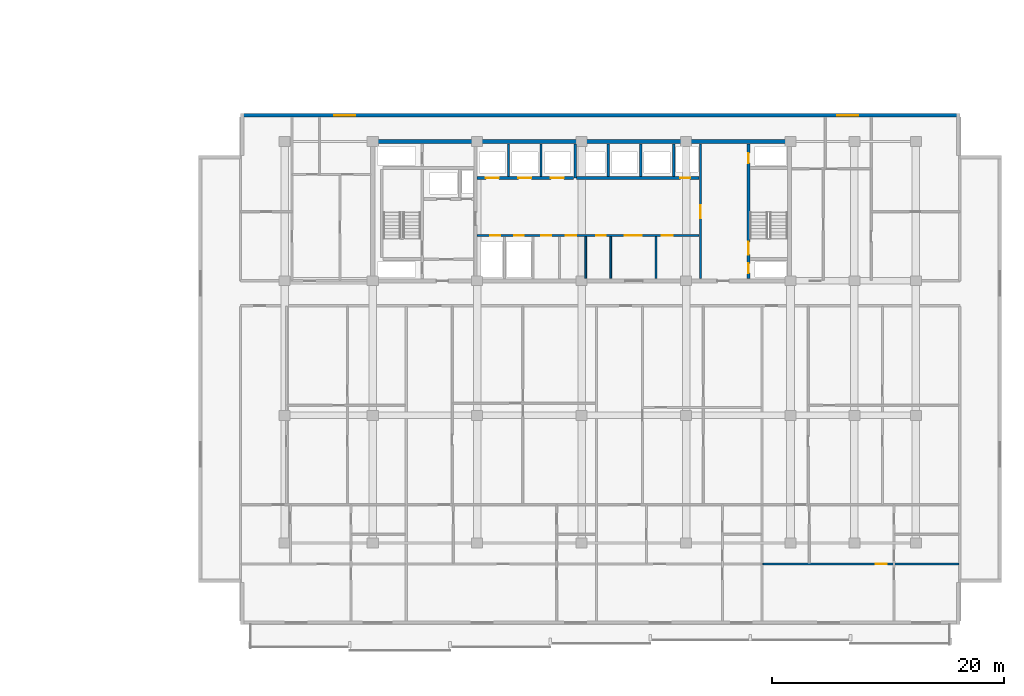
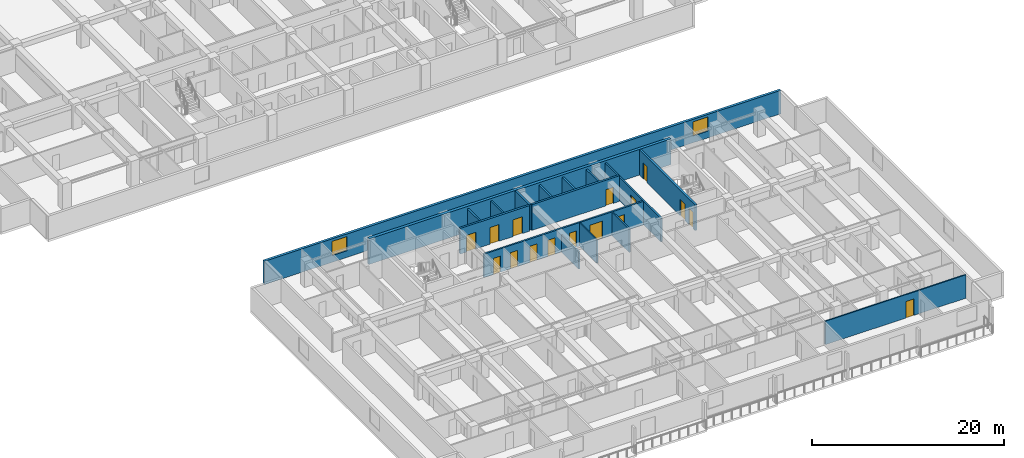
# One storey, part 7 of 23: 17 walls, 16 doors, 2 windows, 18 openings.
"""IFC4 building model written with IfcOpenShell, lengths in metres."""

from ifc_helpers import new_model, si_unit, direction, frame, frame_2d, origin, place, context, subcontext, project, spatial, rectangle, extrude, material, layer, layer_set, type_object, element, fill, save


model = new_model("IFC4")

# Units and contexts
model_context = context("Model", 3, precision=1e-05, world=origin(), true_north=direction((0.0, 1.0)))
body_context = subcontext(model_context, "Body", "Model", "MODEL_VIEW")
ifc_project = project(units=[si_unit("LENGTHUNIT", "METRE"), si_unit("AREAUNIT", "SQUARE_METRE"), si_unit("VOLUMEUNIT", "CUBIC_METRE"), si_unit("PLANEANGLEUNIT", "RADIAN"), si_unit("MASSUNIT", "GRAM", prefix="KILO")], contexts=[model_context])

# Site, building, storey
site_placement = place(None, origin())
site = spatial("IfcSite", under=ifc_project, at=site_placement, CompositionType="ELEMENT")
building_placement = place(site_placement, origin())
building = spatial("IfcBuilding", under=site, at=building_placement, Name="Korimba Cascade Residences", CompositionType="ELEMENT")
storey_placement = place(building_placement, frame((0.0, 0.0, 37.0)))
storey = spatial("IfcBuildingStorey", under=building, at=storey_placement, Name="L09", CompositionType="ELEMENT", Elevation=37.0)

# Wall, openings, windows
ifc_material_1 = material(Name="Precast concrete C40/50", Category="concrete")
ifc_layer_1 = layer(ifc_material_1, 0.300048828125)
ifc_layer_set_1 = layer_set([ifc_layer_1], Name="Precast concrete C40/50")
wall_type_1 = type_object("IfcWallType", Name="EW-STONE-300", PredefinedType="STANDARD", material=ifc_layer_set_1)
wall_1_placement = place(storey_placement, frame((132.699951171875, 32.64990234375, 0.0), z_axis=(0.0, 0.0, 1.0), x_axis=(-1.0, 0.0, 0.0)))
wall_1 = element("IfcWall", 1, at=wall_1_placement, inside=storey, type_object=wall_type_1, Name="L09 T2 Perimeter Stone Wall E06", PredefinedType="STANDARD", context=body_context, shape_type="SweptSolid", body=[
    extrude(rectangle(XDim=62.0, YDim=0.300048828125, at=frame_2d((31.0, 0.0))), origin(), (0.0, 0.0, 1.0), 2.969970703125),
])
opening_1_placement = place(wall_1_placement, frame((52.125, 0.0, 0.85009765625)))
opening_1 = element("IfcOpeningElement", 2, at=opening_1_placement, cuts=wall_1, Name="Opening W-02", PredefinedType="OPENING", context=body_context, shape_type="SweptSolid", body=[
    extrude(rectangle(XDim=1.800048828125, YDim=1.800048828125, at=frame_2d((0.89990234375, 0.89990234375))), frame((0.0, 0.16015625, 0.0), z_axis=(0.0, -1.0, 0.0), x_axis=(1.0, 0.0, 0.0)), (0.0, 0.0, 1.0), 0.320068359375),
])
opening_2_placement = place(wall_1_placement, frame((8.77490234375, 0.0, 0.85009765625)))
opening_2 = element("IfcOpeningElement", 3, at=opening_2_placement, cuts=wall_1, Name="Opening W-02", PredefinedType="OPENING", context=body_context, shape_type="SweptSolid", body=[
    extrude(rectangle(XDim=1.800048828125, YDim=1.800048828125, at=frame_2d((0.89990234375, 0.89990234375))), frame((0.0, 0.16015625, 0.0), z_axis=(0.0, -1.0, 0.0), x_axis=(1.0, 0.0, 0.0)), (0.0, 0.0, 1.0), 0.320068359375),
])
ifc_material_2 = material(Name="Double-Glazed Aluminium Window", Category="aluminium")
window_type = type_object("IfcWindowType", Name="WIN-BED-1800", PartitioningType="SINGLE_PANEL", PredefinedType="WINDOW", material=ifc_material_2)
window_1_placement = place(opening_1_placement, origin())
window_1 = element("IfcWindow", 4, at=window_1_placement, inside=storey, type_object=window_type, Name="L09 T2 North Corner Bedroom Window 1", OverallHeight=1.800048828125, OverallWidth=1.800048828125, PartitioningType="SINGLE_PANEL", PredefinedType="WINDOW", context=body_context, shape_type="SweptSolid", body=[
    extrude(rectangle(XDim=1.800048828125, YDim=1.800048828125, at=frame_2d((0.89990234375, 0.89990234375))), frame((0.0, 0.030029296875, 0.0), z_axis=(0.0, -1.0, 0.0), x_axis=(1.0, 0.0, 0.0)), (0.0, 0.0, 1.0), 0.06005859375),
])
fill(opening_1, window_1)
window_2_placement = place(opening_2_placement, origin())
window_2 = element("IfcWindow", 5, at=window_2_placement, inside=storey, type_object=window_type, Name="L09 T2 North Corner Bedroom Window 2", OverallHeight=1.800048828125, OverallWidth=1.800048828125, PartitioningType="SINGLE_PANEL", PredefinedType="WINDOW", context=body_context, shape_type="SweptSolid", body=[
    extrude(rectangle(XDim=1.800048828125, YDim=1.800048828125, at=frame_2d((0.89990234375, 0.89990234375))), frame((0.0, 0.030029296875, 0.0), z_axis=(0.0, -1.0, 0.0), x_axis=(1.0, 0.0, 0.0)), (0.0, 0.0, 1.0), 0.06005859375),
])
fill(opening_2, window_2)

# Walls
ifc_material_3 = material(Name="Concrete C65/80", Category="concrete")
ifc_layer_2 = layer(ifc_material_3, 0.35009765625)
ifc_layer_set_2 = layer_set([ifc_layer_2], Name="Concrete C65/80")
wall_type_2 = type_object("IfcWallType", Name="WAL-CORE-350", PredefinedType="SHEAR", material=ifc_layer_set_2)
wall_2_placement = place(storey_placement, frame((81.925048828125, 30.39990234375, 0.0), z_axis=(0.0, 0.0, 1.0), x_axis=(1.0, 0.0, 0.0)))
element("IfcWall", 6, at=wall_2_placement, inside=storey, type_object=wall_type_2, Name="L09 Core Shear Wall CW-L09-T2-N", PredefinedType="SHEAR", context=body_context, shape_type="SweptSolid", body=[
    extrude(rectangle(XDim=36.264892578125, YDim=0.35009765625, at=frame_2d((18.13232421875, 0.0))), origin(), (0.0, 0.0, 1.0), 3.25),
])
ifc_material_4 = material(Name="Insulated Acoustic Stud Partition", Category="gypsum")
ifc_layer_3 = layer(ifc_material_4, 0.14990234375)
ifc_layer_set_3 = layer_set([ifc_layer_3], Name="Insulated Acoustic Stud Partition")
wall_type_3 = type_object("IfcWallType", Name="WAL-PART-150", PredefinedType="PARTITIONING", material=ifc_layer_set_3)
wall_3_placement = place(storey_placement, frame((100.449951171875, 18.60009765625, 0.0), z_axis=(0.0, 0.0, 1.0), x_axis=(0.0, 1.0, 0.0)))
element("IfcWall", 7, at=wall_3_placement, inside=storey, type_object=wall_type_3, Name="L09 Partition Wall CW-L09-T2-CA1W2", PredefinedType="PARTITIONING", context=body_context, shape_type="SweptSolid", body=[
    extrude(rectangle(XDim=3.599853515625, YDim=0.14990234375, at=frame_2d((1.7998046875, 0.0))), origin(), (0.0, 0.0, 1.0), 2.219970703125),
])
for number, where, z_axis, x_axis, name in (
    (8, (102.60009765625, 18.60009765625, 0.0), (0.0, 0.0, 1.0), (0.0, 1.0, 0.0), "L09 Partition Wall CW-L09-T2-THW"),
    (9, (106.5, 18.60009765625, 0.0), (0.0, 0.0, 1.0), (0.0, 1.0, 0.0), "L09 Partition Wall CW-L09-T2-THE"),
):
    element("IfcWall", number, at=place(storey_placement, frame(where, z_axis=z_axis, x_axis=x_axis)), inside=storey, type_object=wall_type_3, Name=name, PredefinedType="PARTITIONING", context=body_context, shape_type="SweptSolid", body=[
        extrude(rectangle(XDim=3.599853515625, YDim=0.14990234375, at=frame_2d((1.7998046875, 0.0))), origin(), (0.0, 0.0, 1.0), 2.969970703125),
    ])

# Wall, opening, door
wall_4_placement = place(storey_placement, frame((115.73095703125, -6.0, 0.0), z_axis=(0.0, 0.0, 1.0), x_axis=(1.0, 0.0, 0.0)))
wall_4 = element("IfcWall", 10, at=wall_4_placement, inside=storey, type_object=wall_type_3, Name="L09 Partition Wall WAL-L09-T2-U04-HZ", PredefinedType="PARTITIONING", context=body_context, shape_type="SweptSolid", body=[
    extrude(rectangle(XDim=16.88916015625, YDim=0.14990234375, at=frame_2d((8.444580078125, 0.0))), origin(), (0.0, 0.0, 1.0), 2.969970703125),
])
opening_3_placement = place(wall_4_placement, frame((9.705078125, 0.0, 0.0)))
opening_3 = element("IfcOpeningElement", 11, at=opening_3_placement, cuts=wall_4, Name="Opening D-IN0", PredefinedType="OPENING", context=body_context, shape_type="SweptSolid", body=[
    extrude(rectangle(XDim=0.93994140625, YDim=2.10009765625, at=frame_2d((0.469970703125, 1.050048828125))), frame((0.0, 0.0849609375, 0.0), z_axis=(0.0, -1.0, 0.0), x_axis=(1.0, 0.0, 0.0)), (0.0, 0.0, 1.0), 0.169921875),
])
ifc_material_5 = material(Name="Acoustic Timber Living Archway Door", Category="wood")
door_type_1 = type_object("IfcDoorType", Name="DR-INT-950", OperationType="NOTDEFINED", PredefinedType="DOOR", material=ifc_material_5)
door_1_placement = place(opening_3_placement, origin())
door_1 = element("IfcDoor", 12, at=door_1_placement, inside=storey, type_object=door_type_1, Name="L09-T2-U04 Living Archway Door", OperationType="SINGLE_SWING_RIGHT", OverallHeight=2.10009765625, OverallWidth=0.93994140625, PredefinedType="DOOR", context=body_context, shape_type="SweptSolid", body=[
    extrude(rectangle(XDim=0.93994140625, YDim=2.10009765625, at=frame_2d((0.469970703125, 1.050048828125))), frame((0.0, 0.02490234375, 0.0), z_axis=(0.0, -1.0, 0.0), x_axis=(1.0, 0.0, 0.0)), (0.0, 0.0, 1.0), 0.050048828125),
])
fill(opening_3, door_1)

# Walls
ifc_material_6 = material(Name="Concrete C40/50", Category="concrete")
ifc_layer_4 = layer(ifc_material_6, 0.199951171875)
ifc_layer_set_4 = layer_set([ifc_layer_4], Name="Concrete C40/50")
wall_type_4 = type_object("IfcWallType", Name="WAL-PART-200", PredefinedType="PARTITIONING", material=ifc_layer_set_4)
for number, where, z_axis, x_axis, name in (
    (13, (93.800048828125, 27.3798828125, 0.0), (0.0, 0.0, 1.0), (0.0, 1.0, 0.0), "L09 Partition Wall CW-L09-T2-B1D1"),
    (14, (96.60009765625, 27.3798828125, 0.0), (0.0, 0.0, 1.0), (0.0, 1.0, 0.0), "L09 Partition Wall CW-L09-T2-B1D2"),
    (15, (102.39990234375, 27.3798828125, 0.0), (0.0, 0.0, 1.0), (0.0, 1.0, 0.0), "L09 Partition Wall CW-L09-T2-B2D1"),
    (16, (105.199951171875, 27.3798828125, 0.0), (0.0, 0.0, 1.0), (0.0, 1.0, 0.0), "L09 Partition Wall CW-L09-T2-B2D2"),
    (17, (108.050048828125, 27.3798828125, 0.0), (0.0, 0.0, 1.0), (0.0, 1.0, 0.0), "L09 Partition Wall CW-L09-T2-B2D3"),
):
    element("IfcWall", number, at=place(storey_placement, frame(where, z_axis=z_axis, x_axis=x_axis)), inside=storey, type_object=wall_type_4, Name=name, PredefinedType="PARTITIONING", context=body_context, shape_type="SweptSolid", body=[
        extrude(rectangle(XDim=2.820068359375, YDim=0.199951171875, at=frame_2d((1.41015625, 0.0))), origin(), (0.0, 0.0, 1.0), 2.969970703125),
    ])

# Wall, openings, doors
wall_5_placement = place(storey_placement, frame((91.080078125, 22.300048828125, 0.0), z_axis=(0.0, 0.0, 1.0), x_axis=(1.0, 0.0, 0.0)))
wall_5 = element("IfcWall", 18, at=wall_5_placement, inside=storey, type_object=wall_type_4, Name="L09 Partition Wall CW-L09-T2-SRVROW", PredefinedType="PARTITIONING", context=body_context, shape_type="SweptSolid", body=[
    extrude(rectangle(XDim=19.139892578125, YDim=0.199951171875, at=frame_2d((9.56982421875, 0.0))), origin(), (0.0, 0.0, 1.0), 2.969970703125),
])
opening_4_placement = place(wall_5_placement, frame((1.14990234375, 0.0, 0.0)))
opening_4 = element("IfcOpeningElement", 19, at=opening_4_placement, cuts=wall_5, Name="Opening D-RS1", PredefinedType="OPENING", context=body_context, shape_type="SweptSolid", body=[
    extrude(rectangle(XDim=0.85009765625, YDim=2.050048828125, at=frame_2d((0.425048828125, 1.02490234375))), frame((0.0, 0.10986328125, 0.0), z_axis=(0.0, -1.0, 0.0), x_axis=(1.0, 0.0, 0.0)), (0.0, 0.0, 1.0), 0.219970703125),
])
opening_5_placement = place(wall_5_placement, frame((3.199951171875, 0.0, 0.0)))
opening_5 = element("IfcOpeningElement", 20, at=opening_5_placement, cuts=wall_5, Name="Opening D-RS1", PredefinedType="OPENING", context=body_context, shape_type="SweptSolid", body=[
    extrude(rectangle(XDim=0.85009765625, YDim=2.050048828125, at=frame_2d((0.425048828125, 1.02490234375))), frame((0.0, 0.10986328125, 0.0), z_axis=(0.0, -1.0, 0.0), x_axis=(1.0, 0.0, 0.0)), (0.0, 0.0, 1.0), 0.219970703125),
])
opening_6_placement = place(wall_5_placement, frame((12.719970703125, 0.0, 0.0)))
opening_6 = element("IfcOpeningElement", 21, at=opening_6_placement, cuts=wall_5, Name="Opening D-FD8", PredefinedType="OPENING", context=body_context, shape_type="SweptSolid", body=[
    extrude(rectangle(XDim=1.5, YDim=2.199951171875, at=frame_2d((0.75, 1.10009765625))), frame((0.0, 0.10986328125, 0.0), z_axis=(0.0, -1.0, 0.0), x_axis=(1.0, 0.0, 0.0)), (0.0, 0.0, 1.0), 0.219970703125),
])
opening_7_placement = place(wall_5_placement, frame((5.52001953125, 0.0, 0.0)))
opening_7 = element("IfcOpeningElement", 22, at=opening_7_placement, cuts=wall_5, Name="Opening D-IN2", PredefinedType="OPENING", context=body_context, shape_type="SweptSolid", body=[
    extrude(rectangle(XDim=0.8798828125, YDim=2.06005859375, at=frame_2d((0.43994140625, 1.030029296875))), frame((0.0, 0.10986328125, 0.0), z_axis=(0.0, -1.0, 0.0), x_axis=(1.0, 0.0, 0.0)), (0.0, 0.0, 1.0), 0.219970703125),
])
opening_8_placement = place(wall_5_placement, frame((7.669921875, 0.0, 0.0)))
opening_8 = element("IfcOpeningElement", 23, at=opening_8_placement, cuts=wall_5, Name="Opening D-IN2", PredefinedType="OPENING", context=body_context, shape_type="SweptSolid", body=[
    extrude(rectangle(XDim=0.8798828125, YDim=2.06005859375, at=frame_2d((0.43994140625, 1.030029296875))), frame((0.0, 0.10986328125, 0.0), z_axis=(0.0, -1.0, 0.0), x_axis=(1.0, 0.0, 0.0)), (0.0, 0.0, 1.0), 0.219970703125),
])
opening_9_placement = place(wall_5_placement, frame((10.27001953125, 0.0, 0.0)))
opening_9 = element("IfcOpeningElement", 24, at=opening_9_placement, cuts=wall_5, Name="Opening D-RS1", PredefinedType="OPENING", context=body_context, shape_type="SweptSolid", body=[
    extrude(rectangle(XDim=0.85009765625, YDim=2.050048828125, at=frame_2d((0.425048828125, 1.02490234375))), frame((0.0, 0.10986328125, 0.0), z_axis=(0.0, -1.0, 0.0), x_axis=(1.0, 0.0, 0.0)), (0.0, 0.0, 1.0), 0.219970703125),
])
opening_10_placement = place(wall_5_placement, frame((15.919921875, 0.0, 0.0)))
opening_10 = element("IfcOpeningElement", 25, at=opening_10_placement, cuts=wall_5, Name="Opening D-AC1", PredefinedType="OPENING", context=body_context, shape_type="SweptSolid", body=[
    extrude(rectangle(XDim=0.9599609375, YDim=2.10009765625, at=frame_2d((0.47998046875, 1.050048828125))), frame((0.0, 0.10986328125, 0.0), z_axis=(0.0, -1.0, 0.0), x_axis=(1.0, 0.0, 0.0)), (0.0, 0.0, 1.0), 0.219970703125),
])
ifc_material_7 = material(Name="Accessible Acoustic Timber WC Door", Category="wood")
door_type_2 = type_object("IfcDoorType", Name="DR-ACC-950", OperationType="NOTDEFINED", PredefinedType="DOOR", material=ifc_material_7)
door_2_placement = place(opening_10_placement, origin())
door_2 = element("IfcDoor", 26, at=door_2_placement, inside=storey, type_object=door_type_2, Name="L09 T2 Accessible Staff WC Door", OperationType="SINGLE_SWING_RIGHT", OverallHeight=2.10009765625, OverallWidth=0.9599609375, PredefinedType="DOOR", context=body_context, shape_type="SweptSolid", body=[
    extrude(rectangle(XDim=0.9599609375, YDim=2.10009765625, at=frame_2d((0.47998046875, 1.050048828125))), frame((0.0, 0.02490234375, 0.0), z_axis=(0.0, -1.0, 0.0), x_axis=(1.0, 0.0, 0.0)), (0.0, 0.0, 1.0), 0.050048828125),
])
fill(opening_10, door_2)
ifc_material_8 = material(Name="Fire-Rated Steel Riser Access Door", Category="steel")
door_type_3 = type_object("IfcDoorType", Name="DR-FD60-850", OperationType="NOTDEFINED", PredefinedType="DOOR", material=ifc_material_8)
door_3_placement = place(opening_4_placement, origin())
door_3 = element("IfcDoor", 27, at=door_3_placement, inside=storey, type_object=door_type_3, Name="L09 T2 Electrical Riser Door", OperationType="SINGLE_SWING_LEFT", OverallHeight=2.050048828125, OverallWidth=0.85009765625, PredefinedType="DOOR", context=body_context, shape_type="SweptSolid", body=[
    extrude(rectangle(XDim=0.85009765625, YDim=2.050048828125, at=frame_2d((0.425048828125, 1.02490234375))), frame((0.0, 0.02490234375, 0.0), z_axis=(0.0, -1.0, 0.0), x_axis=(1.0, 0.0, 0.0)), (0.0, 0.0, 1.0), 0.050048828125),
])
fill(opening_4, door_3)
door_4_placement = place(opening_5_placement, origin())
door_4 = element("IfcDoor", 28, at=door_4_placement, inside=storey, type_object=door_type_3, Name="L09 T2 Plumbing Riser Door", OperationType="SINGLE_SWING_RIGHT", OverallHeight=2.050048828125, OverallWidth=0.85009765625, PredefinedType="DOOR", context=body_context, shape_type="SweptSolid", body=[
    extrude(rectangle(XDim=0.85009765625, YDim=2.050048828125, at=frame_2d((0.425048828125, 1.02490234375))), frame((0.0, 0.02490234375, 0.0), z_axis=(0.0, -1.0, 0.0), x_axis=(1.0, 0.0, 0.0)), (0.0, 0.0, 1.0), 0.050048828125),
])
fill(opening_5, door_4)
door_5_placement = place(opening_9_placement, origin())
door_5 = element("IfcDoor", 29, at=door_5_placement, inside=storey, type_object=door_type_3, Name="L09 T2 IT Room Door", OperationType="SINGLE_SWING_LEFT", OverallHeight=2.050048828125, OverallWidth=0.85009765625, PredefinedType="DOOR", context=body_context, shape_type="SweptSolid", body=[
    extrude(rectangle(XDim=0.85009765625, YDim=2.050048828125, at=frame_2d((0.425048828125, 1.02490234375))), frame((0.0, 0.02490234375, 0.0), z_axis=(0.0, -1.0, 0.0), x_axis=(1.0, 0.0, 0.0)), (0.0, 0.0, 1.0), 0.050048828125),
])
fill(opening_9, door_5)
ifc_material_9 = material(Name="Fire-Rated Glazed Lift Lobby Double Door", Category="glass")
door_type_4 = type_object("IfcDoorType", Name="DR-FD90-1500", OperationType="NOTDEFINED", PredefinedType="DOOR", material=ifc_material_9)
door_6_placement = place(opening_6_placement, origin())
door_6 = element("IfcDoor", 30, at=door_6_placement, inside=storey, type_object=door_type_4, Name="L09 T2 Lift Lobby Foyer Door", OperationType="DOUBLE_DOOR_SINGLE_SWING", OverallHeight=2.199951171875, OverallWidth=1.5, PredefinedType="DOOR", context=body_context, shape_type="SweptSolid", body=[
    extrude(rectangle(XDim=1.5, YDim=2.199951171875, at=frame_2d((0.75, 1.10009765625))), frame((0.0, 0.02490234375, 0.0), z_axis=(0.0, -1.0, 0.0), x_axis=(1.0, 0.0, 0.0)), (0.0, 0.0, 1.0), 0.050048828125),
])
fill(opening_6, door_6)
ifc_material_10 = material(Name="Acoustic Timber Bedroom Door", Category="wood")
door_type_5 = type_object("IfcDoorType", Name="DR-INT-880", OperationType="NOTDEFINED", PredefinedType="DOOR", material=ifc_material_10)
door_7_placement = place(opening_7_placement, origin())
door_7 = element("IfcDoor", 31, at=door_7_placement, inside=storey, type_object=door_type_5, Name="L09 T2 Cleaners Door", OperationType="SINGLE_SWING_LEFT", OverallHeight=2.06005859375, OverallWidth=0.8798828125, PredefinedType="DOOR", context=body_context, shape_type="SweptSolid", body=[
    extrude(rectangle(XDim=0.8798828125, YDim=2.06005859375, at=frame_2d((0.43994140625, 1.030029296875))), frame((0.0, 0.02490234375, 0.0), z_axis=(0.0, -1.0, 0.0), x_axis=(1.0, 0.0, 0.0)), (0.0, 0.0, 1.0), 0.050048828125),
])
fill(opening_7, door_7)
door_8_placement = place(opening_8_placement, origin())
door_8 = element("IfcDoor", 32, at=door_8_placement, inside=storey, type_object=door_type_5, Name="L09 T2 Pantry Door", OperationType="SINGLE_SWING_RIGHT", OverallHeight=2.06005859375, OverallWidth=0.8798828125, PredefinedType="DOOR", context=body_context, shape_type="SweptSolid", body=[
    extrude(rectangle(XDim=0.8798828125, YDim=2.06005859375, at=frame_2d((0.43994140625, 1.030029296875))), frame((0.0, 0.02490234375, 0.0), z_axis=(0.0, -1.0, 0.0), x_axis=(1.0, 0.0, 0.0)), (0.0, 0.0, 1.0), 0.050048828125),
])
fill(opening_8, door_8)

# Wall, opening, door
wall_6_placement = place(storey_placement, frame((110.35009765625, 18.60009765625, 0.0), z_axis=(0.0, 0.0, 1.0), x_axis=(0.0, 1.0, 0.0)))
wall_6 = element("IfcWall", 33, at=wall_6_placement, inside=storey, type_object=wall_type_4, Name="L09 Partition Wall CW-L09-T2-LLEV", PredefinedType="PARTITIONING", context=body_context, shape_type="SweptSolid", body=[
    extrude(rectangle(XDim=11.599853515625, YDim=0.199951171875, at=frame_2d((5.7998046875, 0.0))), origin(), (0.0, 0.0, 1.0), 2.969970703125),
])
opening_11_placement = place(wall_6_placement, frame((5.199951171875, 0.0, 0.0)))
opening_11 = element("IfcOpeningElement", 34, at=opening_11_placement, cuts=wall_6, Name="Opening D-FD6", PredefinedType="OPENING", context=body_context, shape_type="SweptSolid", body=[
    extrude(rectangle(XDim=1.10009765625, YDim=2.14990234375, at=frame_2d((0.550048828125, 1.074951171875))), frame((0.0, 0.10986328125, 0.0), z_axis=(0.0, -1.0, 0.0), x_axis=(1.0, 0.0, 0.0)), (0.0, 0.0, 1.0), 0.219970703125),
])
ifc_material_11 = material(Name="Fire-Rated Timber Stair Lobby Door", Category="wood")
door_type_6 = type_object("IfcDoorType", Name="DR-FD90-1100", OperationType="NOTDEFINED", PredefinedType="DOOR", material=ifc_material_11)
door_9_placement = place(opening_11_placement, origin())
door_9 = element("IfcDoor", 35, at=door_9_placement, inside=storey, type_object=door_type_6, Name="L09 T2 Lift Lobby to East Stair Lobby Door", OperationType="SINGLE_SWING_LEFT", OverallHeight=2.14990234375, OverallWidth=1.10009765625, PredefinedType="DOOR", context=body_context, shape_type="SweptSolid", body=[
    extrude(rectangle(XDim=1.10009765625, YDim=2.14990234375, at=frame_2d((0.550048828125, 1.074951171875))), frame((0.0, 0.02490234375, 0.0), z_axis=(0.0, -1.0, 0.0), x_axis=(1.0, 0.0, 0.0)), (0.0, 0.0, 1.0), 0.050048828125),
])
fill(opening_11, door_9)

# Wall, openings, doors
ifc_material_12 = material(Name="Concrete C50/60", Category="concrete")
ifc_layer_5 = layer(ifc_material_12, 0.25)
ifc_layer_set_5 = layer_set([ifc_layer_5], Name="Concrete C50/60")
wall_type_5 = type_object("IfcWallType", Name="WAL-SHAFT-250", PredefinedType="SHEAR", material=ifc_layer_set_5)
wall_7_placement = place(storey_placement, frame((91.080078125, 27.25, 0.0), z_axis=(0.0, 0.0, 1.0), x_axis=(1.0, 0.0, 0.0)))
wall_7 = element("IfcWall", 36, at=wall_7_placement, inside=storey, type_object=wall_type_5, Name="L09 Core Shear Wall CW-L09-T2-B1S", PredefinedType="SHEAR", context=body_context, shape_type="SweptSolid", body=[
    extrude(rectangle(XDim=8.33984375, YDim=0.25, at=frame_2d((4.169921875, 0.0))), origin(), (0.0, 0.0, 1.0), 3.25),
])
opening_12_placement = place(wall_7_placement, frame((0.760009765625, 0.0, 0.0)))
opening_12 = element("IfcOpeningElement", 37, at=opening_12_placement, cuts=wall_7, Name="Opening LD-01", PredefinedType="OPENING", context=body_context, shape_type="SweptSolid", body=[
    extrude(rectangle(XDim=1.1201171875, YDim=2.1201171875, at=frame_2d((0.56005859375, 1.06005859375))), frame((0.0, 0.135009765625, 0.0), z_axis=(0.0, -1.0, 0.0), x_axis=(1.0, 0.0, 0.0)), (0.0, 0.0, 1.0), 0.27001953125),
])
opening_13_placement = place(wall_7_placement, frame((3.56005859375, 0.0, 0.0)))
opening_13 = element("IfcOpeningElement", 38, at=opening_13_placement, cuts=wall_7, Name="Opening LD-01", PredefinedType="OPENING", context=body_context, shape_type="SweptSolid", body=[
    extrude(rectangle(XDim=1.1201171875, YDim=2.1201171875, at=frame_2d((0.56005859375, 1.06005859375))), frame((0.0, 0.135009765625, 0.0), z_axis=(0.0, -1.0, 0.0), x_axis=(1.0, 0.0, 0.0)), (0.0, 0.0, 1.0), 0.27001953125),
])
opening_14_placement = place(wall_7_placement, frame((6.360107421875, 0.0, 0.0)))
opening_14 = element("IfcOpeningElement", 39, at=opening_14_placement, cuts=wall_7, Name="Opening LD-01", PredefinedType="OPENING", context=body_context, shape_type="SweptSolid", body=[
    extrude(rectangle(XDim=1.1201171875, YDim=2.1201171875, at=frame_2d((0.56005859375, 1.06005859375))), frame((0.0, 0.135009765625, 0.0), z_axis=(0.0, -1.0, 0.0), x_axis=(1.0, 0.0, 0.0)), (0.0, 0.0, 1.0), 0.27001953125),
])
ifc_material_13 = material(Name="Stainless Steel Lift Landing Sliding Door", Category="steel")
door_type_7 = type_object("IfcDoorType", Name="DR-LIFT-1100", OperationType="NOTDEFINED", PredefinedType="DOOR", material=ifc_material_13)
door_10_placement = place(opening_12_placement, origin())
door_10 = element("IfcDoor", 40, at=door_10_placement, inside=storey, type_object=door_type_7, Name="L09 Lift Landing Door PL-E1", OperationType="SLIDING_TO_LEFT", OverallHeight=2.1201171875, OverallWidth=1.1201171875, PredefinedType="DOOR", context=body_context, shape_type="SweptSolid", body=[
    extrude(rectangle(XDim=1.1201171875, YDim=2.1201171875, at=frame_2d((0.56005859375, 1.06005859375))), frame((0.0, 0.02490234375, 0.0), z_axis=(0.0, -1.0, 0.0), x_axis=(1.0, 0.0, 0.0)), (0.0, 0.0, 1.0), 0.050048828125),
])
fill(opening_12, door_10)
door_11_placement = place(opening_13_placement, origin())
door_11 = element("IfcDoor", 41, at=door_11_placement, inside=storey, type_object=door_type_7, Name="L09 Lift Landing Door PL-E2", OperationType="SLIDING_TO_LEFT", OverallHeight=2.1201171875, OverallWidth=1.1201171875, PredefinedType="DOOR", context=body_context, shape_type="SweptSolid", body=[
    extrude(rectangle(XDim=1.1201171875, YDim=2.1201171875, at=frame_2d((0.56005859375, 1.06005859375))), frame((0.0, 0.02490234375, 0.0), z_axis=(0.0, -1.0, 0.0), x_axis=(1.0, 0.0, 0.0)), (0.0, 0.0, 1.0), 0.050048828125),
])
fill(opening_13, door_11)
door_12_placement = place(opening_14_placement, origin())
door_12 = element("IfcDoor", 42, at=door_12_placement, inside=storey, type_object=door_type_7, Name="L09 Lift Landing Door PL-E3", OperationType="SLIDING_TO_LEFT", OverallHeight=2.1201171875, OverallWidth=1.1201171875, PredefinedType="DOOR", context=body_context, shape_type="SweptSolid", body=[
    extrude(rectangle(XDim=1.1201171875, YDim=2.1201171875, at=frame_2d((0.56005859375, 1.06005859375))), frame((0.0, 0.02490234375, 0.0), z_axis=(0.0, -1.0, 0.0), x_axis=(1.0, 0.0, 0.0)), (0.0, 0.0, 1.0), 0.050048828125),
])
fill(opening_14, door_12)

# Wall
wall_8_placement = place(storey_placement, frame((99.550048828125, 27.25, 0.0), z_axis=(0.0, 0.0, 1.0), x_axis=(0.0, 1.0, 0.0)))
element("IfcWall", 43, at=wall_8_placement, inside=storey, type_object=wall_type_5, Name="L09 Core Shear Wall CW-L09-T2-B12DIV", PredefinedType="SHEAR", context=body_context, shape_type="SweptSolid", body=[
    extrude(rectangle(XDim=2.949951171875, YDim=0.25, at=frame_2d((1.47509765625, 0.0))), origin(), (0.0, 0.0, 1.0), 3.25),
])

# Wall, opening, door
wall_9_placement = place(storey_placement, frame((99.679931640625, 27.25, 0.0), z_axis=(0.0, 0.0, 1.0), x_axis=(1.0, 0.0, 0.0)))
wall_9 = element("IfcWall", 44, at=wall_9_placement, inside=storey, type_object=wall_type_5, Name="L09 Core Shear Wall CW-L09-T2-B2S", PredefinedType="SHEAR", context=body_context, shape_type="SweptSolid", body=[
    extrude(rectangle(XDim=10.5400390625, YDim=0.25, at=frame_2d((5.27001953125, 0.0))), origin(), (0.0, 0.0, 1.0), 3.25),
])
opening_15_placement = place(wall_9_placement, frame((8.919921875, 0.0, 0.0)))
opening_15 = element("IfcOpeningElement", 45, at=opening_15_placement, cuts=wall_9, Name="Opening D-RS1", PredefinedType="OPENING", context=body_context, shape_type="SweptSolid", body=[
    extrude(rectangle(XDim=0.85009765625, YDim=2.050048828125, at=frame_2d((0.425048828125, 1.02490234375))), frame((0.0, 0.135009765625, 0.0), z_axis=(0.0, -1.0, 0.0), x_axis=(1.0, 0.0, 0.0)), (0.0, 0.0, 1.0), 0.27001953125),
])
door_13_placement = place(opening_15_placement, origin())
door_13 = element("IfcDoor", 46, at=door_13_placement, inside=storey, type_object=door_type_3, Name="L09 T2 Duct Door", OperationType="SINGLE_SWING_RIGHT", OverallHeight=2.050048828125, OverallWidth=0.85009765625, PredefinedType="DOOR", context=body_context, shape_type="SweptSolid", body=[
    extrude(rectangle(XDim=0.85009765625, YDim=2.050048828125, at=frame_2d((0.425048828125, 1.02490234375))), frame((0.0, 0.02490234375, 0.0), z_axis=(0.0, -1.0, 0.0), x_axis=(1.0, 0.0, 0.0)), (0.0, 0.0, 1.0), 0.050048828125),
])
fill(opening_15, door_13)

# Wall, openings, doors
wall_10_placement = place(storey_placement, frame((114.47509765625, 18.60009765625, 0.0), z_axis=(0.0, 0.0, 1.0), x_axis=(0.0, 1.0, 0.0)))
wall_10 = element("IfcWall", 47, at=wall_10_placement, inside=storey, type_object=wall_type_5, Name="L09 Core Shear Wall CW-L09-T2-STE2W", PredefinedType="SHEAR", context=body_context, shape_type="SweptSolid", body=[
    extrude(rectangle(XDim=11.599853515625, YDim=0.25, at=frame_2d((5.7998046875, 0.0))), origin(), (0.0, 0.0, 1.0), 3.25),
])
opening_16_placement = place(wall_10_placement, frame((0.449951171875, 0.0, 0.0)))
opening_16 = element("IfcOpeningElement", 48, at=opening_16_placement, cuts=wall_10, Name="Opening D-RS1", PredefinedType="OPENING", context=body_context, shape_type="SweptSolid", body=[
    extrude(rectangle(XDim=0.85009765625, YDim=2.050048828125, at=frame_2d((0.425048828125, 1.02490234375))), frame((0.0, 0.135009765625, 0.0), z_axis=(0.0, -1.0, 0.0), x_axis=(1.0, 0.0, 0.0)), (0.0, 0.0, 1.0), 0.27001953125),
])
opening_17_placement = place(wall_10_placement, frame((2.050048828125, 0.0, 0.0)))
opening_17 = element("IfcOpeningElement", 49, at=opening_17_placement, cuts=wall_10, Name="Opening D-FD1", PredefinedType="OPENING", context=body_context, shape_type="SweptSolid", body=[
    extrude(rectangle(XDim=1.10009765625, YDim=2.10009765625, at=frame_2d((0.550048828125, 1.050048828125))), frame((0.0, 0.135009765625, 0.0), z_axis=(0.0, -1.0, 0.0), x_axis=(1.0, 0.0, 0.0)), (0.0, 0.0, 1.0), 0.27001953125),
])
opening_18_placement = place(wall_10_placement, frame((9.949951171875, 0.0, 0.0)))
opening_18 = element("IfcOpeningElement", 50, at=opening_18_placement, cuts=wall_10, Name="Opening D-RS1", PredefinedType="OPENING", context=body_context, shape_type="SweptSolid", body=[
    extrude(rectangle(XDim=0.85009765625, YDim=2.050048828125, at=frame_2d((0.425048828125, 1.02490234375))), frame((0.0, 0.135009765625, 0.0), z_axis=(0.0, -1.0, 0.0), x_axis=(1.0, 0.0, 0.0)), (0.0, 0.0, 1.0), 0.27001953125),
])
ifc_material_14 = material(Name="Fire-Rated Steel Core Door", Category="steel")
door_type_8 = type_object("IfcDoorType", Name="DR-FD120-1100", OperationType="NOTDEFINED", PredefinedType="DOOR", material=ifc_material_14)
door_14_placement = place(opening_17_placement, origin())
door_14 = element("IfcDoor", 51, at=door_14_placement, inside=storey, type_object=door_type_8, Name="L09 Fire Stair ST-E2 Door", OperationType="SINGLE_SWING_LEFT", OverallHeight=2.10009765625, OverallWidth=1.10009765625, PredefinedType="DOOR", context=body_context, shape_type="SweptSolid", body=[
    extrude(rectangle(XDim=1.10009765625, YDim=2.10009765625, at=frame_2d((0.550048828125, 1.050048828125))), frame((0.0, 0.02490234375, 0.0), z_axis=(0.0, -1.0, 0.0), x_axis=(1.0, 0.0, 0.0)), (0.0, 0.0, 1.0), 0.050048828125),
])
fill(opening_17, door_14)
door_15_placement = place(opening_16_placement, origin())
door_15 = element("IfcDoor", 52, at=door_15_placement, inside=storey, type_object=door_type_3, Name="L09 T2 East Hydrant Door", OperationType="SINGLE_SWING_RIGHT", OverallHeight=2.050048828125, OverallWidth=0.85009765625, PredefinedType="DOOR", context=body_context, shape_type="SweptSolid", body=[
    extrude(rectangle(XDim=0.85009765625, YDim=2.050048828125, at=frame_2d((0.425048828125, 1.02490234375))), frame((0.0, 0.02490234375, 0.0), z_axis=(0.0, -1.0, 0.0), x_axis=(1.0, 0.0, 0.0)), (0.0, 0.0, 1.0), 0.050048828125),
])
fill(opening_16, door_15)
door_16_placement = place(opening_18_placement, origin())
door_16 = element("IfcDoor", 53, at=door_16_placement, inside=storey, type_object=door_type_3, Name="L09 T2 East Riser Door", OperationType="SINGLE_SWING_RIGHT", OverallHeight=2.050048828125, OverallWidth=0.85009765625, PredefinedType="DOOR", context=body_context, shape_type="SweptSolid", body=[
    extrude(rectangle(XDim=0.85009765625, YDim=2.050048828125, at=frame_2d((0.425048828125, 1.02490234375))), frame((0.0, 0.02490234375, 0.0), z_axis=(0.0, -1.0, 0.0), x_axis=(1.0, 0.0, 0.0)), (0.0, 0.0, 1.0), 0.050048828125),
])
fill(opening_18, door_16)

save(model, "model.ifc")
